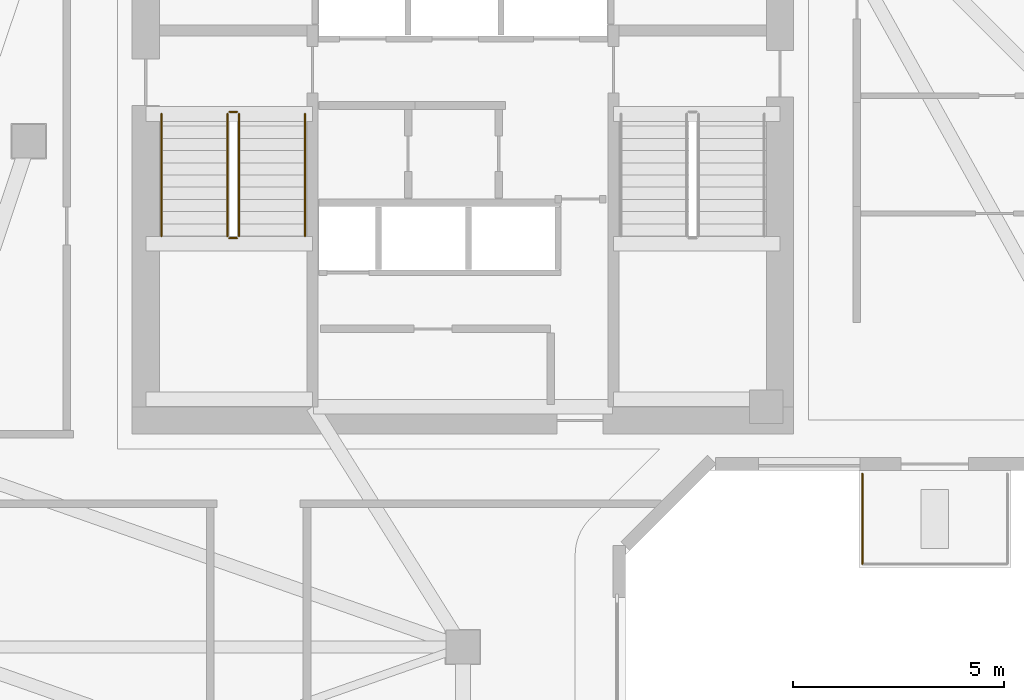
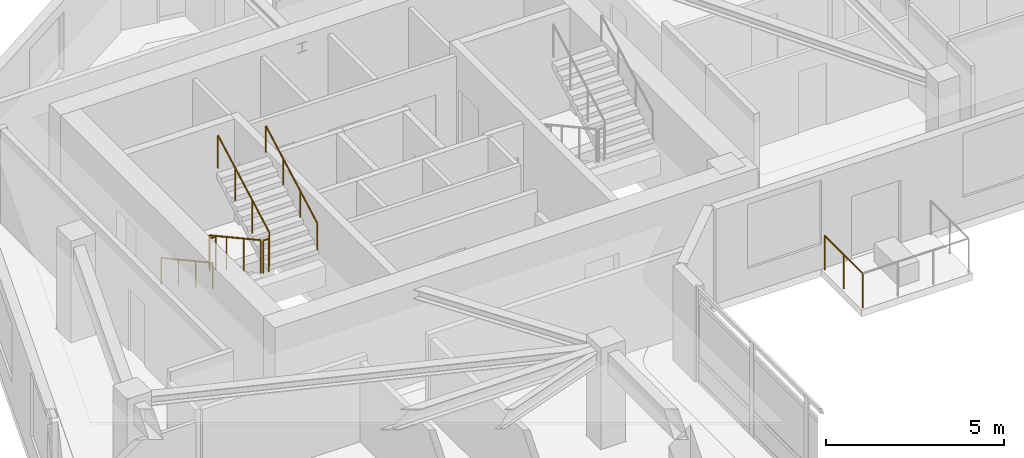
# One storey, part 7 of 9: 7 railings.
"""IFC4 building model written with IfcOpenShell, lengths in metres."""

from ifc_helpers import new_model, si_unit, direction, frame, origin, origin_2d, place, context, subcontext, project, spatial, circle, extrude, material, type_object, element, save


model = new_model("IFC4")

# Units and contexts
model_context = context("Model", 3, precision=1e-05, world=origin(), true_north=direction((0.0, 1.0)))
body_context = subcontext(model_context, "Body", "Model", "MODEL_VIEW")
ifc_project = project(units=[si_unit("LENGTHUNIT", "METRE"), si_unit("AREAUNIT", "SQUARE_METRE"), si_unit("VOLUMEUNIT", "CUBIC_METRE"), si_unit("PLANEANGLEUNIT", "RADIAN"), si_unit("MASSUNIT", "GRAM", prefix="KILO")], contexts=[model_context])

# Site, building, storey
site_placement = place(None, origin())
site = spatial("IfcSite", under=ifc_project, at=site_placement, CompositionType="ELEMENT")
building_placement = place(site_placement, origin())
building = spatial("IfcBuilding", under=site, at=building_placement, Name="Calvemar Wedge Station Tower", CompositionType="ELEMENT")
storey_placement = place(building_placement, frame((0.0, 0.0, 228.89990234375)))
storey = spatial("IfcBuildingStorey", under=building, at=storey_placement, Name="L58", CompositionType="ELEMENT", Elevation=228.89990234375)

# Railings
ifc_material_1 = material(Name="Stainless steel AISI 316L", Category="steel")
railing_type_1 = type_object("IfcRailingType", Name="GRD-TERR-1200", PredefinedType="GUARDRAIL", material=ifc_material_1)
railing_1_placement = place(storey_placement, frame((33.280029296875, 30.471923828125, 0.0)))
element("IfcRailing", 1, at=railing_1_placement, inside=storey, type_object=railing_type_1, Name="Storey L58 Spiral Terrace Guard 4", PredefinedType="GUARDRAIL", context=body_context, shape_type="SweptSolid", body=[
    extrude(circle(Radius=0.02392578125, at=origin_2d()), frame((0.0, 0.0, 1.17578125), z_axis=(0.0, 1.0, 0.0), x_axis=(-1.0, 0.0, 0.0)), (0.0, 0.0, 1.0), 2.14013671875),
    extrude(circle(Radius=0.02099609375, at=origin_2d()), origin(), (0.0, 0.0, 1.0), 1.15185546875),
    extrude(circle(Radius=0.02099609375, at=origin_2d()), frame((0.0, 1.070068359375, 0.0)), (0.0, 0.0, 1.0), 1.15185546875),
    extrude(circle(Radius=0.02099609375, at=origin_2d()), frame((0.0, 2.14013671875, 0.0)), (0.0, 0.0, 1.0), 1.15185546875),
])
railing_type_2 = type_object("IfcRailingType", Name="RL-HANDRAIL-920", PredefinedType="HANDRAIL", material=ifc_material_1)
railing_2_placement = place(storey_placement, frame((16.64990234375, 41.14990234375, 0.1591796875)))
element("IfcRailing", 2, at=railing_2_placement, inside=storey, type_object=railing_type_2, Name="L58 ST-C1 stair handrail 1", PredefinedType="HANDRAIL", context=body_context, shape_type="SweptSolid", body=[
    extrude(circle(Radius=0.02392578125, at=origin_2d()), frame((0.0, 0.0, 0.89599609375), z_axis=(0.0, -0.876742130028, 0.480960744171), x_axis=(1.0, 0.0, 0.0)), (0.0, 0.0, 1.0), 3.3076171875),
    extrude(circle(Radius=0.02099609375, at=origin_2d()), origin(), (0.0, 0.0, 1.0), 0.871826171875),
    extrude(circle(Radius=0.02099609375, at=origin_2d()), frame((0.0, -0.966552734375, 0.5302734375)), (0.0, 0.0, 1.0), 0.871826171875),
    extrude(circle(Radius=0.02099609375, at=origin_2d()), frame((0.0, -1.933349609375, 1.060546875)), (0.0, 0.0, 1.0), 0.871826171875),
    extrude(circle(Radius=0.02099609375, at=origin_2d()), frame((0.0, -2.89990234375, 1.5908203125)), (0.0, 0.0, 1.0), 0.871826171875),
])
railing_3_placement = place(storey_placement, frame((20.050048828125, 38.25, 1.9091796875)))
element("IfcRailing", 3, at=railing_3_placement, inside=storey, type_object=railing_type_2, Name="L58 ST-C1 stair handrail 2", PredefinedType="HANDRAIL", context=body_context, shape_type="SweptSolid", body=[
    extrude(circle(Radius=0.02392578125, at=origin_2d()), frame((0.0, 0.0, 0.89599609375), z_axis=(0.0, 0.876742130028, 0.480960744171), x_axis=(-1.0, 0.0, 0.0)), (0.0, 0.0, 1.0), 3.3076171875),
    extrude(circle(Radius=0.02099609375, at=origin_2d()), origin(), (0.0, 0.0, 1.0), 0.871826171875),
    extrude(circle(Radius=0.02099609375, at=origin_2d()), frame((0.0, 0.966552734375, 0.5302734375)), (0.0, 0.0, 1.0), 0.871826171875),
    extrude(circle(Radius=0.02099609375, at=origin_2d()), frame((0.0, 1.933349609375, 1.060546875)), (0.0, 0.0, 1.0), 0.871826171875),
    extrude(circle(Radius=0.02099609375, at=origin_2d()), frame((0.0, 2.89990234375, 1.5908203125)), (0.0, 0.0, 1.0), 0.871826171875),
])
ifc_material_2 = material(Name="Painted steel guardrail ASTM A500 Grade C", Category="steel")
railing_type_3 = type_object("IfcRailingType", Name="RL-STAIR-GUARD-1150", PredefinedType="GUARDRAIL", material=ifc_material_2)
railing_4_placement = place(storey_placement, frame((18.2099609375, 41.14990234375, 0.1591796875)))
element("IfcRailing", 4, at=railing_4_placement, inside=storey, type_object=railing_type_3, Name="L58 ST-C1 stair guard 1", PredefinedType="GUARDRAIL", context=body_context, shape_type="SweptSolid", body=[
    extrude(circle(Radius=0.02392578125, at=origin_2d()), frame((0.0, 0.0, 1.1259765625), z_axis=(0.0, -0.876742130028, 0.480960744171), x_axis=(1.0, 0.0, 0.0)), (0.0, 0.0, 1.0), 3.3076171875),
    extrude(circle(Radius=0.02099609375, at=origin_2d()), origin(), (0.0, 0.0, 1.0), 1.101806640625),
    extrude(circle(Radius=0.02099609375, at=origin_2d()), frame((0.0, -0.966552734375, 0.5302734375)), (0.0, 0.0, 1.0), 1.101806640625),
    extrude(circle(Radius=0.02099609375, at=origin_2d()), frame((0.0, -1.933349609375, 1.060546875)), (0.0, 0.0, 1.0), 1.101806640625),
    extrude(circle(Radius=0.02099609375, at=origin_2d()), frame((0.0, -2.89990234375, 1.5908203125)), (0.0, 0.0, 1.0), 1.101806640625),
])
railing_5_placement = place(storey_placement, frame((18.260009765625, 38.199951171875, 1.75)))
element("IfcRailing", 5, at=railing_5_placement, inside=storey, type_object=railing_type_3, Name="L58 ST-C1 stair guard 2", PredefinedType="GUARDRAIL", context=body_context, shape_type="SweptSolid", body=[
    extrude(circle(Radius=0.02392578125, at=origin_2d()), frame((0.0, 0.0, 1.1259765625), z_axis=(1.0, 0.0, 0.0), x_axis=(0.0, 1.0, 0.0)), (0.0, 0.0, 1.0), 0.179931640625),
    extrude(circle(Radius=0.02099609375, at=origin_2d()), origin(), (0.0, 0.0, 1.0), 1.101806640625),
    extrude(circle(Radius=0.02099609375, at=origin_2d()), frame((0.179931640625, 0.0, 0.0)), (0.0, 0.0, 1.0), 1.101806640625),
])
railing_6_placement = place(storey_placement, frame((18.489990234375, 38.25, 1.9091796875)))
element("IfcRailing", 6, at=railing_6_placement, inside=storey, type_object=railing_type_3, Name="L58 ST-C1 stair guard 3", PredefinedType="GUARDRAIL", context=body_context, shape_type="SweptSolid", body=[
    extrude(circle(Radius=0.02392578125, at=origin_2d()), frame((0.0, 0.0, 1.1259765625), z_axis=(0.0, 0.876742130028, 0.480960744171), x_axis=(-1.0, 0.0, 0.0)), (0.0, 0.0, 1.0), 3.3076171875),
    extrude(circle(Radius=0.02099609375, at=origin_2d()), origin(), (0.0, 0.0, 1.0), 1.101806640625),
    extrude(circle(Radius=0.02099609375, at=origin_2d()), frame((0.0, 0.966552734375, 0.5302734375)), (0.0, 0.0, 1.0), 1.101806640625),
    extrude(circle(Radius=0.02099609375, at=origin_2d()), frame((0.0, 1.933349609375, 1.060546875)), (0.0, 0.0, 1.0), 1.101806640625),
    extrude(circle(Radius=0.02099609375, at=origin_2d()), frame((0.0, 2.89990234375, 1.5908203125)), (0.0, 0.0, 1.0), 1.101806640625),
])
railing_7_placement = place(storey_placement, frame((18.260009765625, 41.199951171875, 0.0)))
element("IfcRailing", 7, at=railing_7_placement, inside=storey, type_object=railing_type_3, Name="L58 ST-C1 stair guard 4", PredefinedType="GUARDRAIL", context=body_context, shape_type="SweptSolid", body=[
    extrude(circle(Radius=0.02392578125, at=origin_2d()), frame((0.0, 0.0, 1.1259765625), z_axis=(1.0, 0.0, 0.0), x_axis=(0.0, 1.0, 0.0)), (0.0, 0.0, 1.0), 0.179931640625),
    extrude(circle(Radius=0.02099609375, at=origin_2d()), origin(), (0.0, 0.0, 1.0), 1.101806640625),
    extrude(circle(Radius=0.02099609375, at=origin_2d()), frame((0.179931640625, 0.0, 0.0)), (0.0, 0.0, 1.0), 1.101806640625),
])

save(model, "model.ifc")
